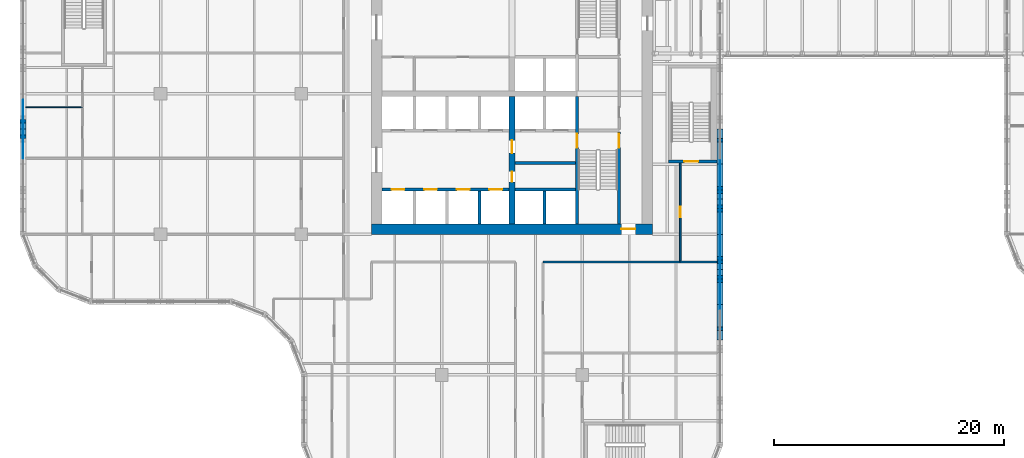
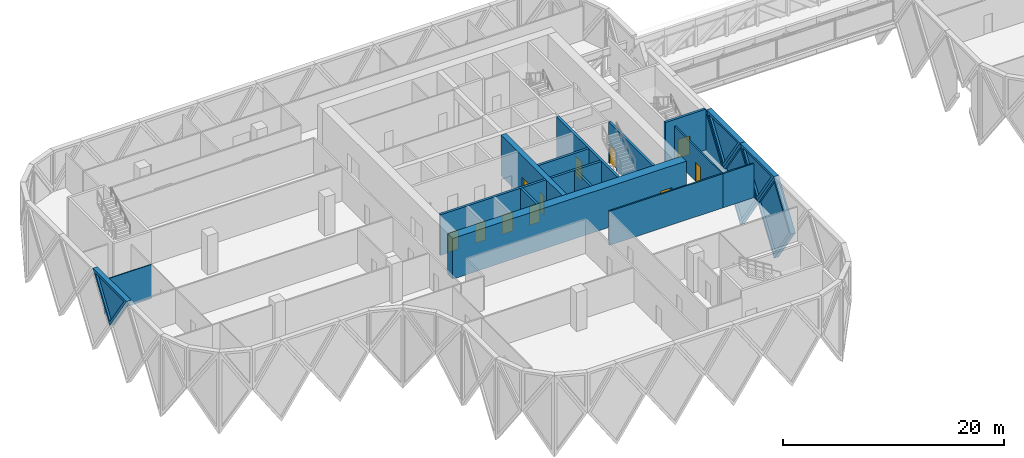
# One storey, part 14 of 30: 20 walls, 11 doors, 6 plates, 17 openings.
"""IFC4 building model written with IfcOpenShell, lengths in metres."""

from ifc_helpers import new_model, si_unit, direction, frame, frame_2d, origin, place, context, subcontext, project, spatial, polyline, rectangle, outline, extrude, faceted_brep, source, transform, mapped, material, layer, layer_set, type_object, element, fill, save


model = new_model("IFC4")

# Units and contexts
model_context = context("Model", 3, precision=1e-05, world=origin(), true_north=direction((0.0, 1.0)))
body_context = subcontext(model_context, "Body", "Model", "MODEL_VIEW")
ifc_project = project(units=[si_unit("LENGTHUNIT", "METRE"), si_unit("AREAUNIT", "SQUARE_METRE"), si_unit("VOLUMEUNIT", "CUBIC_METRE"), si_unit("PLANEANGLEUNIT", "RADIAN"), si_unit("MASSUNIT", "GRAM", prefix="KILO")], contexts=[model_context])

# Site, building, storey
site_placement = place(None, origin())
site = spatial("IfcSite", under=ifc_project, at=site_placement, CompositionType="ELEMENT")
building_placement = place(site_placement, origin())
building = spatial("IfcBuilding", under=site, at=building_placement, Name="Tessera Gate Towers", CompositionType="ELEMENT")
storey_placement = place(building_placement, frame((0.0, 0.0, 21.300048828125)))
storey = spatial("IfcBuildingStorey", under=building, at=storey_placement, Name="L04", CompositionType="ELEMENT", Elevation=21.300048828125)

# Wall, opening, door
ifc_material_1 = material(Name="Concrete C40/50", Category="concrete")
ifc_layer_1 = layer(ifc_material_1, 0.25)
ifc_layer_set_1 = layer_set([ifc_layer_1], Name="CORE ENCLOSURE WALL 250")
wall_type_1 = type_object("IfcWallType", Name="CORE ENCLOSURE WALL 250", PredefinedType="SOLIDWALL", material=ifc_layer_set_1)
wall_1_placement = place(storey_placement, frame((48.35009765625, 36.35009765625, 0.0), z_axis=(0.0, 0.0, 1.0), x_axis=(0.0, -1.0, 0.0)))
wall_1 = element("IfcWall", 1, at=wall_1_placement, inside=storey, type_object=wall_type_1, Name="L04 shaft and stair enclosure wall", PredefinedType="SOLIDWALL", context=body_context, shape_type="SweptSolid", body=[
    extrude(rectangle(XDim=11.050048828125, YDim=0.25, at=frame_2d((5.52490234375, 0.0))), origin(), (0.0, 0.0, 1.0), 4.5),
])
shared_shape_1 = source(origin(), body_context, "Body", "SweptSolid", [
    extrude(rectangle(XDim=1.199951171875, YDim=2.10009765625, at=frame_2d((0.60009765625, 1.050048828125))), frame((0.0, 0.135009765625, 0.0), z_axis=(0.0, -1.0, 0.0), x_axis=(1.0, 0.0, 0.0)), (0.0, 0.0, 1.0), 0.27001953125),
])
opening_1_placement = place(wall_1_placement, frame((3.22509765625, 0.0, 0.0)))
opening_1 = element("IfcOpeningElement", 2, at=opening_1_placement, cuts=wall_1, Name="Opening SD-ST1-1", PredefinedType="OPENING", context=body_context, shape_type="MappedRepresentation", body=[
    mapped(shared_shape_1, transform((0.0, 0.0, 0.0), scale=1.0)),
])
ifc_material_2 = material(Name="Hollow steel fire door", Category="steel")
door_type_1 = type_object("IfcDoorType", Name="CORE DOOR SD 1200x2100", OperationType="NOTDEFINED", PredefinedType="DOOR", material=ifc_material_2)
shared_shape_2 = source(origin(), body_context, "Body", "SweptSolid", [
    extrude(rectangle(XDim=1.199951171875, YDim=2.10009765625, at=frame_2d((0.60009765625, 1.050048828125))), frame((0.0, 0.02490234375, 0.0), z_axis=(0.0, -1.0, 0.0), x_axis=(1.0, 0.0, 0.0)), (0.0, 0.0, 1.0), 0.050048828125),
])
door_1_placement = place(opening_1_placement, origin())
door_1 = element("IfcDoor", 3, at=door_1_placement, inside=storey, type_object=door_type_1, Name="Stair door", OperationType="SINGLE_SWING_LEFT", OverallHeight=2.10009765625, OverallWidth=1.199951171875, PredefinedType="DOOR", context=body_context, shape_type="MappedRepresentation", body=[
    mapped(shared_shape_2, transform((0.0, 0.0, 0.0), scale=1.0)),
])
fill(opening_1, door_1)

# Wall, openings, doors
wall_2_placement = place(storey_placement, frame((31.39990234375, 28.300048828125, 0.0), z_axis=(0.0, 0.0, 1.0), x_axis=(1.0, 0.0, 0.0)))
wall_2 = element("IfcWall", 4, at=wall_2_placement, inside=storey, type_object=wall_type_1, Name="L04 shaft and stair enclosure wall", PredefinedType="SOLIDWALL", context=body_context, shape_type="SweptSolid", body=[
    extrude(rectangle(XDim=11.050048828125, YDim=0.25, at=frame_2d((5.52490234375, 0.0))), origin(), (0.0, 0.0, 1.0), 4.5),
])
shared_shape_3 = source(origin(), body_context, "Body", "SweptSolid", [
    extrude(rectangle(XDim=1.10009765625, YDim=2.10009765625, at=frame_2d((0.550048828125, 1.050048828125))), frame((0.0, 0.135009765625, 0.0), z_axis=(0.0, -1.0, 0.0), x_axis=(1.0, 0.0, 0.0)), (0.0, 0.0, 1.0), 0.27001953125),
])
opening_2_placement = place(wall_2_placement, frame((0.862548828125, 0.0, 0.0)))
opening_2 = element("IfcOpeningElement", 5, at=opening_2_placement, cuts=wall_2, Name="Opening LD-LR1", PredefinedType="OPENING", context=body_context, shape_type="MappedRepresentation", body=[
    mapped(shared_shape_3, transform((0.0, 0.0, 0.0), scale=1.0)),
])
opening_3_placement = place(wall_2_placement, frame((3.6875, 0.0, 0.0)))
opening_3 = element("IfcOpeningElement", 6, at=opening_3_placement, cuts=wall_2, Name="Opening LD-LR2", PredefinedType="OPENING", context=body_context, shape_type="MappedRepresentation", body=[
    mapped(shared_shape_3, transform((0.0, 0.0, 0.0), scale=1.0)),
])
opening_4_placement = place(wall_2_placement, frame((6.512451171875, 0.0, 0.0)))
opening_4 = element("IfcOpeningElement", 7, at=opening_4_placement, cuts=wall_2, Name="Opening LD-LR3", PredefinedType="OPENING", context=body_context, shape_type="MappedRepresentation", body=[
    mapped(shared_shape_3, transform((0.0, 0.0, 0.0), scale=1.0)),
])
opening_5_placement = place(wall_2_placement, frame((9.33740234375, 0.0, 0.0)))
opening_5 = element("IfcOpeningElement", 8, at=opening_5_placement, cuts=wall_2, Name="Opening LD-LR4", PredefinedType="OPENING", context=body_context, shape_type="MappedRepresentation", body=[
    mapped(shared_shape_3, transform((0.0, 0.0, 0.0), scale=1.0)),
])
ifc_material_3 = material(Name="Stainless steel", Category="steel")
door_type_2 = type_object("IfcDoorType", Name="CORE DOOR LD 1100x2100", OperationType="DOUBLE_DOOR_SLIDING", PredefinedType="DOOR", material=ifc_material_3)
shared_shape_4 = source(origin(), body_context, "Body", "SweptSolid", [
    extrude(rectangle(XDim=1.10009765625, YDim=2.10009765625, at=frame_2d((0.550048828125, 1.050048828125))), frame((0.0, 0.02490234375, 0.0), z_axis=(0.0, -1.0, 0.0), x_axis=(1.0, 0.0, 0.0)), (0.0, 0.0, 1.0), 0.050048828125),
])
door_2_placement = place(opening_2_placement, origin())
door_2 = element("IfcDoor", 9, at=door_2_placement, inside=storey, type_object=door_type_2, Name="Landing door LR1 L04", OperationType="DOUBLE_DOOR_SLIDING", OverallHeight=2.10009765625, OverallWidth=1.10009765625, PredefinedType="DOOR", context=body_context, shape_type="MappedRepresentation", body=[
    mapped(shared_shape_4, transform((0.0, 0.0, 0.0), scale=1.0)),
])
fill(opening_2, door_2)
door_3_placement = place(opening_3_placement, origin())
door_3 = element("IfcDoor", 10, at=door_3_placement, inside=storey, type_object=door_type_2, Name="Landing door LR2 L04", OperationType="DOUBLE_DOOR_SLIDING", OverallHeight=2.10009765625, OverallWidth=1.10009765625, PredefinedType="DOOR", context=body_context, shape_type="MappedRepresentation", body=[
    mapped(shared_shape_4, transform((0.0, 0.0, 0.0), scale=1.0)),
])
fill(opening_3, door_3)
door_4_placement = place(opening_4_placement, origin())
door_4 = element("IfcDoor", 11, at=door_4_placement, inside=storey, type_object=door_type_2, Name="Landing door LR3 L04", OperationType="DOUBLE_DOOR_SLIDING", OverallHeight=2.10009765625, OverallWidth=1.10009765625, PredefinedType="DOOR", context=body_context, shape_type="MappedRepresentation", body=[
    mapped(shared_shape_4, transform((0.0, 0.0, 0.0), scale=1.0)),
])
fill(opening_4, door_4)
door_5_placement = place(opening_5_placement, origin())
door_5 = element("IfcDoor", 12, at=door_5_placement, inside=storey, type_object=door_type_2, Name="Landing door LR4 L04", OperationType="DOUBLE_DOOR_SLIDING", OverallHeight=2.10009765625, OverallWidth=1.10009765625, PredefinedType="DOOR", context=body_context, shape_type="MappedRepresentation", body=[
    mapped(shared_shape_4, transform((0.0, 0.0, 0.0), scale=1.0)),
])
fill(opening_5, door_5)

# Wall
wall_3_placement = place(storey_placement, frame((42.949951171875, 28.300048828125, 0.0), z_axis=(0.0, 0.0, 1.0), x_axis=(1.0, 0.0, 0.0)))
element("IfcWall", 13, at=wall_3_placement, inside=storey, type_object=wall_type_1, Name="L04 shaft and stair enclosure wall", PredefinedType="SOLIDWALL", context=body_context, shape_type="SweptSolid", body=[
    extrude(rectangle(XDim=5.275146484375, YDim=0.25, at=frame_2d((2.6376953125, 0.0))), origin(), (0.0, 0.0, 1.0), 4.5),
])

# Wall, opening, door
wall_4_placement = place(storey_placement, frame((52.0, 25.300048828125, 0.0), z_axis=(0.0, 0.0, 1.0), x_axis=(0.0, 1.0, 0.0)))
wall_4 = element("IfcWall", 14, at=wall_4_placement, inside=storey, type_object=wall_type_1, Name="L04 shaft and stair enclosure wall", PredefinedType="SOLIDWALL", context=body_context, shape_type="SweptSolid", body=[
    extrude(rectangle(XDim=7.974853515625, YDim=0.25, at=frame_2d((3.9873046875, 0.0))), origin(), (0.0, 0.0, 1.0), 4.5),
])
opening_6_placement = place(wall_4_placement, frame((6.625, 0.0, 0.0)))
opening_6 = element("IfcOpeningElement", 15, at=opening_6_placement, cuts=wall_4, Name="Opening SD-ST1-2", PredefinedType="OPENING", context=body_context, shape_type="MappedRepresentation", body=[
    mapped(shared_shape_1, transform((0.0, 0.0, 0.0), scale=1.0)),
])
door_6_placement = place(opening_6_placement, origin())
door_6 = element("IfcDoor", 16, at=door_6_placement, inside=storey, type_object=door_type_1, Name="Stair door", OperationType="SINGLE_SWING_RIGHT", OverallHeight=2.10009765625, OverallWidth=1.199951171875, PredefinedType="DOOR", context=body_context, shape_type="MappedRepresentation", body=[
    mapped(shared_shape_2, transform((0.0, 0.0, 0.0), scale=1.0)),
])
fill(opening_6, door_6)

# Walls
wall_5_placement = place(storey_placement, frame((42.949951171875, 30.60009765625, 0.0), z_axis=(0.0, 0.0, 1.0), x_axis=(1.0, 0.0, 0.0)))
element("IfcWall", 17, at=wall_5_placement, inside=storey, type_object=wall_type_1, Name="L04 shaft and stair enclosure wall", PredefinedType="SOLIDWALL", context=body_context, shape_type="SweptSolid", body=[
    extrude(rectangle(XDim=5.275146484375, YDim=0.25, at=frame_2d((2.6376953125, 0.0))), origin(), (0.0, 0.0, 1.0), 4.5),
])
for number, where, z_axis, x_axis, name in (
    (18, (39.875, 25.300048828125, 0.0), (0.0, 0.0, 1.0), (0.0, 1.0, 0.0), "L04 shaft and stair enclosure wall"),
    (19, (45.52490234375, 25.300048828125, 0.0), (0.0, 0.0, 1.0), (0.0, 1.0, 0.0), "L04 shaft and stair enclosure wall"),
):
    element("IfcWall", number, at=place(storey_placement, frame(where, z_axis=z_axis, x_axis=x_axis)), inside=storey, type_object=wall_type_1, Name=name, PredefinedType="SOLIDWALL", context=body_context, shape_type="SweptSolid", body=[
        extrude(rectangle(XDim=2.875, YDim=0.25, at=frame_2d((1.4375, 0.0))), origin(), (0.0, 0.0, 1.0), 4.5),
    ])

# Wall, opening, door
wall_6_placement = place(storey_placement, frame((60.5, 30.72509765625, 0.0), z_axis=(0.0, 0.0, 1.0), x_axis=(-1.0, 0.0, 0.0)))
wall_6 = element("IfcWall", 20, at=wall_6_placement, inside=storey, type_object=wall_type_1, Name="L04 ST5 enclosure wall", PredefinedType="SOLIDWALL", context=body_context, shape_type="SweptSolid", body=[
    extrude(rectangle(XDim=4.199951171875, YDim=0.25, at=frame_2d((2.10009765625, 0.0))), origin(), (0.0, 0.0, 1.0), 4.5),
])
opening_7_placement = place(wall_6_placement, frame((1.64990234375, 0.0, 0.0)))
opening_7 = element("IfcOpeningElement", 21, at=opening_7_placement, cuts=wall_6, Name="Opening SD-ST5-1", PredefinedType="OPENING", context=body_context, shape_type="MappedRepresentation", body=[
    mapped(shared_shape_1, transform((0.0, 0.0, 0.0), scale=1.0)),
])
door_7_placement = place(opening_7_placement, origin())
door_7 = element("IfcDoor", 22, at=door_7_placement, inside=storey, type_object=door_type_1, Name="Stair door", OperationType="SINGLE_SWING_RIGHT", OverallHeight=2.10009765625, OverallWidth=1.199951171875, PredefinedType="DOOR", context=body_context, shape_type="MappedRepresentation", body=[
    mapped(shared_shape_2, transform((0.0, 0.0, 0.0), scale=1.0)),
])
fill(opening_7, door_7)

ifc_material_4 = material(Name="Concrete C70/85", Category="concrete")
ifc_layer_2 = layer(ifc_material_4, 0.89990234375)
ifc_layer_set_2 = layer_set([ifc_layer_2], Name="CORE SHEAR WALL 900 C70/85")
wall_type_2 = type_object("IfcWallType", Name="CORE SHEAR WALL 900 C70/85", PredefinedType="SHEAR", material=ifc_layer_set_2)
wall_7_placement = place(storey_placement, frame((54.89990234375, 24.85009765625, 0.0), z_axis=(0.0, 0.0, 1.0), x_axis=(-1.0, 0.0, 0.0)))
wall_7 = element("IfcWall", 23, at=wall_7_placement, inside=storey, type_object=wall_type_2, Name="Core wall S L04", PredefinedType="SHEAR", context=body_context, shape_type="SweptSolid", body=[
    extrude(rectangle(XDim=24.39990234375, YDim=0.89990234375, at=frame_2d((12.199951171875, 0.0))), origin(), (0.0, 0.0, 1.0), 4.5),
])
shared_shape_5 = source(origin(), body_context, "Body", "SweptSolid", [
    extrude(rectangle(XDim=1.199951171875, YDim=2.10009765625, at=frame_2d((0.60009765625, 1.050048828125))), frame((0.0, 0.4599609375, 0.0), z_axis=(0.0, -1.0, 0.0), x_axis=(1.0, 0.0, 0.0)), (0.0, 0.0, 1.0), 0.919921875),
])
opening_8_placement = place(wall_7_placement, frame((1.5, 0.0, 0.0)))
opening_8 = element("IfcOpeningElement", 24, at=opening_8_placement, cuts=wall_7, Name="Opening ED-T1-05-01", PredefinedType="OPENING", context=body_context, shape_type="MappedRepresentation", body=[
    mapped(shared_shape_5, transform((0.0, 0.0, 0.0), scale=1.0)),
])
ifc_material_5 = material(Name="Hollow steel fire door", Category="steel")
door_type_3 = type_object("IfcDoorType", Name="CORE DOOR ED 1200x2100", OperationType="NOTDEFINED", PredefinedType="DOOR", material=ifc_material_5)
door_8_placement = place(opening_8_placement, origin())
door_8 = element("IfcDoor", 25, at=door_8_placement, inside=storey, type_object=door_type_3, Name="Core exit door", OperationType="SINGLE_SWING_LEFT", OverallHeight=2.10009765625, OverallWidth=1.199951171875, PredefinedType="DOOR", context=body_context, shape_type="MappedRepresentation", body=[
    mapped(shared_shape_2, transform((0.0, 0.0, 0.0), scale=1.0)),
])
fill(opening_8, door_8)

# Wall, openings, doors
ifc_material_6 = material(Name="Concrete C70/85", Category="concrete")
ifc_layer_3 = layer(ifc_material_6, 0.5)
ifc_layer_set_3 = layer_set([ifc_layer_3], Name="CORE SPINE WALL 500 C70/85")
wall_type_3 = type_object("IfcWallType", Name="CORE SPINE WALL 500 C70/85", PredefinedType="SHEAR", material=ifc_layer_set_3)
wall_8_placement = place(storey_placement, frame((42.699951171875, 36.35009765625, 0.0), z_axis=(0.0, 0.0, 1.0), x_axis=(0.0, -1.0, 0.0)))
wall_8 = element("IfcWall", 26, at=wall_8_placement, inside=storey, type_object=wall_type_3, Name="Core wall spine L04", PredefinedType="SHEAR", context=body_context, shape_type="SweptSolid", body=[
    extrude(rectangle(XDim=11.050048828125, YDim=0.5, at=frame_2d((5.52490234375, 0.0))), origin(), (0.0, 0.0, 1.0), 4.5),
])
shared_shape_6 = source(origin(), body_context, "Body", "SweptSolid", [
    extrude(rectangle(XDim=0.89990234375, YDim=2.10009765625, at=frame_2d((0.449951171875, 1.050048828125))), frame((0.0, 0.260009765625, 0.0), z_axis=(0.0, -1.0, 0.0), x_axis=(1.0, 0.0, 0.0)), (0.0, 0.0, 1.0), 0.52001953125),
])
opening_9_placement = place(wall_8_placement, frame((6.5, 0.0, 0.0)))
opening_9 = element("IfcOpeningElement", 27, at=opening_9_placement, cuts=wall_8, Name="Opening RD-T1-05-05", PredefinedType="OPENING", context=body_context, shape_type="MappedRepresentation", body=[
    mapped(shared_shape_6, transform((0.0, 0.0, 0.0), scale=1.0)),
])
shared_shape_7 = source(origin(), body_context, "Body", "SweptSolid", [
    extrude(rectangle(XDim=1.10009765625, YDim=2.10009765625, at=frame_2d((0.550048828125, 1.050048828125))), frame((0.0, 0.260009765625, 0.0), z_axis=(0.0, -1.0, 0.0), x_axis=(1.0, 0.0, 0.0)), (0.0, 0.0, 1.0), 0.52001953125),
])
opening_10_placement = place(wall_8_placement, frame((3.800048828125, 0.0, 0.0)))
opening_10 = element("IfcOpeningElement", 28, at=opening_10_placement, cuts=wall_8, Name="Opening FD-T1-05-06", PredefinedType="OPENING", context=body_context, shape_type="MappedRepresentation", body=[
    mapped(shared_shape_7, transform((0.0, 0.0, 0.0), scale=1.0)),
])
ifc_material_7 = material(Name="Hollow steel fire door", Category="steel")
door_type_4 = type_object("IfcDoorType", Name="CORE DOOR RD 900x2100", OperationType="NOTDEFINED", PredefinedType="DOOR", material=ifc_material_7)
shared_shape_8 = source(origin(), body_context, "Body", "SweptSolid", [
    extrude(rectangle(XDim=0.89990234375, YDim=2.10009765625, at=frame_2d((0.449951171875, 1.050048828125))), frame((0.0, 0.02490234375, 0.0), z_axis=(0.0, -1.0, 0.0), x_axis=(1.0, 0.0, 0.0)), (0.0, 0.0, 1.0), 0.050048828125),
])
door_9_placement = place(opening_9_placement, origin())
door_9 = element("IfcDoor", 29, at=door_9_placement, inside=storey, type_object=door_type_4, Name="Core room door", OperationType="SINGLE_SWING_RIGHT", OverallHeight=2.10009765625, OverallWidth=0.89990234375, PredefinedType="DOOR", context=body_context, shape_type="MappedRepresentation", body=[
    mapped(shared_shape_8, transform((0.0, 0.0, 0.0), scale=1.0)),
])
fill(opening_9, door_9)
ifc_material_8 = material(Name="Hollow steel fire door", Category="steel")
door_type_5 = type_object("IfcDoorType", Name="CORE DOOR FD 1100x2100", OperationType="NOTDEFINED", PredefinedType="DOOR", material=ifc_material_8)
door_10_placement = place(opening_10_placement, origin())
door_10 = element("IfcDoor", 30, at=door_10_placement, inside=storey, type_object=door_type_5, Name="Fire-fighting lobby door", OperationType="SINGLE_SWING_LEFT", OverallHeight=2.10009765625, OverallWidth=1.10009765625, PredefinedType="DOOR", context=body_context, shape_type="MappedRepresentation", body=[
    mapped(shared_shape_4, transform((0.0, 0.0, 0.0), scale=1.0)),
])
fill(opening_10, door_10)

# Wall
ifc_material_9 = material(Name="Gypsum board on steel studs, mineral wool", Category="steel")
ifc_layer_4 = layer(ifc_material_9, 0.14990234375)
ifc_layer_set_4 = layer_set([ifc_layer_4], Name="CORRIDOR WALL 150")
wall_type_4 = type_object("IfcWallType", Name="CORRIDOR WALL 150", PredefinedType="PARTITIONING", material=ifc_layer_set_4)
wall_9_placement = place(storey_placement, frame((45.39990234375, 22.0, 0.0), z_axis=(0.0, 0.0, 1.0), x_axis=(1.0, 0.0, 0.0)))
element("IfcWall", 31, at=wall_9_placement, inside=storey, type_object=wall_type_4, Name="T1-L04-PW-023", PredefinedType="PARTITIONING", context=body_context, shape_type="SweptSolid", body=[
    extrude(rectangle(XDim=11.900146484375, YDim=0.14990234375, at=frame_2d((5.9501953125, 0.0))), origin(), (0.0, 0.0, 1.0), 3.766845703125),
])

# Wall, opening, door
wall_10_placement = place(storey_placement, frame((57.300048828125, 30.60009765625, 0.0), z_axis=(0.0, 0.0, 1.0), x_axis=(0.0, -1.0, 0.0)))
wall_10 = element("IfcWall", 32, at=wall_10_placement, inside=storey, type_object=wall_type_4, Name="T1-L04-PW-025", PredefinedType="PARTITIONING", context=body_context, shape_type="SweptSolid", body=[
    extrude(rectangle(XDim=8.524169921875, YDim=0.14990234375, at=frame_2d((4.26220703125, 0.0))), origin(), (0.0, 0.0, 1.0), 3.766845703125),
])
shared_shape_9 = source(origin(), body_context, "Body", "SweptSolid", [
    extrude(rectangle(XDim=0.89990234375, YDim=2.10009765625, at=frame_2d((0.449951171875, 1.050048828125))), frame((0.0, 0.0849609375, 0.0), z_axis=(0.0, -1.0, 0.0), x_axis=(1.0, 0.0, 0.0)), (0.0, 0.0, 1.0), 0.169921875),
])
opening_11_placement = place(wall_10_placement, frame((3.823974609375, 0.0, 0.0)))
opening_11 = element("IfcOpeningElement", 33, at=opening_11_placement, cuts=wall_10, Name="Opening D890FD60-A01-03", PredefinedType="OPENING", context=body_context, shape_type="MappedRepresentation", body=[
    mapped(shared_shape_9, transform((0.0, 0.0, 0.0), scale=1.0)),
])
ifc_material_10 = material(Name="Timber door leaf in steel frame", Category="steel")
door_type_6 = type_object("IfcDoorType", Name="CORRIDOR DOOR 900 FD60", OperationType="NOTDEFINED", PredefinedType="DOOR", material=ifc_material_10)
door_11_placement = place(opening_11_placement, origin())
door_11 = element("IfcDoor", 34, at=door_11_placement, inside=storey, type_object=door_type_6, Name="T1-L04-PD-016", OperationType="SINGLE_SWING_RIGHT", OverallHeight=2.10009765625, OverallWidth=0.89990234375, PredefinedType="DOOR", context=body_context, shape_type="MappedRepresentation", body=[
    mapped(shared_shape_8, transform((0.0, 0.0, 0.0), scale=1.0)),
])
fill(opening_11, door_11)

# Walls
ifc_material_11 = material(Name="Gypsum board on steel studs", Category="steel")
ifc_layer_5 = layer(ifc_material_11, 0.10009765625)
ifc_layer_set_5 = layer_set([ifc_layer_5], Name="PARTITION 100")
wall_type_5 = type_object("IfcWallType", Name="PARTITION 100", PredefinedType="PARTITIONING", material=ifc_layer_set_5)
wall_11_placement = place(storey_placement, frame((0.5, 35.419921875, 0.0), z_axis=(0.0, 0.0, 1.0), x_axis=(1.0, 0.0, 0.0)))
element("IfcWall", 35, at=wall_11_placement, inside=storey, type_object=wall_type_5, Name="T1-L04-PW-036", PredefinedType="PARTITIONING", context=body_context, shape_type="SweptSolid", body=[
    extrude(rectangle(XDim=4.925048828125, YDim=0.10009765625, at=frame_2d((2.46240234375, 0.0))), origin(), (0.0, 0.0, 1.0), 3.766845703125),
])
ifc_material_12 = material(Name="Gypsum board on steel studs, mineral wool", Category="steel")
ifc_layer_6 = layer(ifc_material_12, 0.14990234375)
ifc_layer_set_6 = layer_set([ifc_layer_6], Name="TENANCY WALL 150")
wall_type_6 = type_object("IfcWallType", Name="TENANCY WALL 150", PredefinedType="PARTITIONING", material=ifc_layer_set_6)
wall_12_placement = place(storey_placement, frame((57.301025390625, 22.0, 0.0), z_axis=(0.0, 0.0, 1.0), x_axis=(1.0, 0.0, 0.0)))
element("IfcWall", 36, at=wall_12_placement, inside=storey, type_object=wall_type_6, Name="T1-L04-PW-024", PredefinedType="PARTITIONING", context=body_context, shape_type="SweptSolid", body=[
    extrude(rectangle(XDim=3.198974609375, YDim=0.14990234375, at=frame_2d((1.599609375, 0.0))), origin(), (0.0, 0.0, 1.0), 3.766845703125),
])

# Wall, opening, plate
ifc_material_13 = material(Name="Precast concrete C60/75 white", Category="concrete")
ifc_layer_7 = layer(ifc_material_13, 0.5)
ifc_layer_set_7 = layer_set([ifc_layer_7], Name="TS1 tessera")
wall_type_7 = type_object("IfcWallType", Name="TS1 tessera", PredefinedType="SOLIDWALL", material=ifc_layer_set_7)
shared_shape_10 = source(origin(), body_context, "Body", "Brep", [
    faceted_brep([(3.050048828125, -0.25, 0.0), (6.099853515625, -0.25, 4.499755859375), (6.099853515625, -0.25, 4.500244140625), (3.050048828125, -0.25, 9.0), (0.0, -0.25, 4.5), (0.0, 0.25, 4.5), (3.050048828125, 0.25, 9.0), (6.099853515625, 0.25, 4.500244140625), (6.099853515625, 0.25, 4.499755859375), (3.050048828125, 0.25, 0.0)], [[[0, 1, 2, 3, 4]], [[5, 6, 7, 8, 9]], [[9, 8, 1, 0]], [[7, 6, 3, 2]], [[6, 5, 4, 3]], [[5, 9, 0, 4]], [[1, 8, 7, 2]]]),
])
wall_13_placement = place(storey_placement, frame((60.75, 21.35009765625, -4.5), z_axis=(0.0, 0.0, 1.0), x_axis=(0.0, 1.0, 0.0)))
wall_13 = element("IfcWall", 37, at=wall_13_placement, inside=storey, type_object=wall_type_7, Name="Precast tessera T1 TS1-0007", PredefinedType="SOLIDWALL", context=body_context, shape_type="MappedRepresentation", body=[
    mapped(shared_shape_10, transform((0.0, 0.0, 0.0), scale=1.0)),
])
shared_shape_11 = source(origin(), body_context, "Body", "SweptSolid", [
    extrude(outline(polyline([(3.050048828125, 0.445556640625), (5.798095703125, 4.5), (3.050048828125, 8.554443359375), (0.302001953125, 4.5), (3.050048828125, 0.445556640625)])), frame((0.0, 0.260009765625, 0.0), z_axis=(0.0, -1.0, 0.0), x_axis=(1.0, 0.0, 0.0)), (0.0, 0.0, 1.0), 0.52001953125),
])
opening_12_placement = place(wall_13_placement, origin())
opening_12 = element("IfcOpeningElement", 38, at=opening_12_placement, cuts=wall_13, Name="Opening T1-PL2-0011", PredefinedType="OPENING", context=body_context, shape_type="MappedRepresentation", body=[
    mapped(shared_shape_11, transform((0.0, 0.0, 0.0), scale=1.0)),
])
ifc_material_14 = material(Name="Low-e laminated glass", Category="glass")
ifc_layer_8 = layer(ifc_material_14, 0.06005859375)
ifc_layer_set_8 = layer_set([ifc_layer_8], Name="PL2 rhombic pane")
plate_type_1 = type_object("IfcPlateType", Name="PL2 rhombic pane", PredefinedType="SHEET", material=ifc_layer_set_8)
shared_shape_12 = source(origin(), body_context, "Body", "SweptSolid", [
    extrude(outline(polyline([(3.050048828125, 0.445556640625), (5.798095703125, 4.5), (3.050048828125, 8.554443359375), (0.302001953125, 4.5), (3.050048828125, 0.445556640625)])), frame((0.0, 0.030029296875, 0.0), z_axis=(0.0, -1.0, 0.0), x_axis=(1.0, 0.0, 0.0)), (0.0, 0.0, 1.0), 0.06005859375),
])
plate_1_placement = place(opening_12_placement, origin())
plate_1 = element("IfcPlate", 39, at=plate_1_placement, inside=storey, type_object=plate_type_1, Name="Glass pane T1 PL2-0011", PredefinedType="SHEET", context=body_context, shape_type="MappedRepresentation", body=[
    mapped(shared_shape_12, transform((0.0, 0.0, 0.0), scale=1.0)),
])
fill(opening_12, plate_1)

shared_shape_13 = source(origin(), body_context, "Body", "SweptSolid", [
    extrude(outline(polyline([(3.050048828125, 0.0), (6.10009765625, 4.5), (3.050048828125, 9.0), (0.0, 4.5), (3.050048828125, 0.0)])), frame((0.0, 0.25, 0.0), z_axis=(0.0, -1.0, 0.0), x_axis=(1.0, 0.0, 0.0)), (0.0, 0.0, 1.0), 0.5),
])
wall_14_placement = place(storey_placement, frame((60.75, 15.25, -4.5), z_axis=(0.0, 0.0, 1.0), x_axis=(0.0, 1.0, 0.0)))
wall_14 = element("IfcWall", 40, at=wall_14_placement, inside=storey, type_object=wall_type_7, Name="Precast tessera T1 TS1-0006", PredefinedType="SOLIDWALL", context=body_context, shape_type="MappedRepresentation", body=[
    mapped(shared_shape_13, transform((0.0, 0.0, 0.0), scale=1.0)),
])
opening_13_placement = place(wall_14_placement, origin())
opening_13 = element("IfcOpeningElement", 41, at=opening_13_placement, cuts=wall_14, Name="Opening T1-PL2-0010", PredefinedType="OPENING", context=body_context, shape_type="MappedRepresentation", body=[
    mapped(shared_shape_11, transform((0.0, 0.0, 0.0), scale=1.0)),
])
plate_2_placement = place(opening_13_placement, origin())
plate_2 = element("IfcPlate", 42, at=plate_2_placement, inside=storey, type_object=plate_type_1, Name="Glass pane T1 PL2-0010", PredefinedType="SHEET", context=body_context, shape_type="MappedRepresentation", body=[
    mapped(shared_shape_12, transform((0.0, 0.0, 0.0), scale=1.0)),
])
fill(opening_13, plate_2)

wall_15_placement = place(storey_placement, frame((60.75, 27.449951171875, -4.5), z_axis=(0.0, 0.0, 1.0), x_axis=(0.0, 1.0, 0.0)))
wall_15 = element("IfcWall", 43, at=wall_15_placement, inside=storey, type_object=wall_type_7, Name="Precast tessera T1 TS1-0008", PredefinedType="SOLIDWALL", context=body_context, shape_type="MappedRepresentation", body=[
    mapped(shared_shape_13, transform((0.0, 0.0, 0.0), scale=1.0)),
])
opening_14_placement = place(wall_15_placement, origin())
opening_14 = element("IfcOpeningElement", 44, at=opening_14_placement, cuts=wall_15, Name="Opening T1-PL2-0012", PredefinedType="OPENING", context=body_context, shape_type="MappedRepresentation", body=[
    mapped(shared_shape_11, transform((0.0, 0.0, 0.0), scale=1.0)),
])
plate_3_placement = place(opening_14_placement, origin())
plate_3 = element("IfcPlate", 45, at=plate_3_placement, inside=storey, type_object=plate_type_1, Name="Glass pane T1 PL2-0012", PredefinedType="SHEET", context=body_context, shape_type="MappedRepresentation", body=[
    mapped(shared_shape_12, transform((0.0, 0.0, 0.0), scale=1.0)),
])
fill(opening_14, plate_3)

ifc_material_15 = material(Name="Precast concrete C60/75 white", Category="concrete")
ifc_layer_9 = layer(ifc_material_15, 0.5)
ifc_layer_set_9 = layer_set([ifc_layer_9], Name="TS2 half tessera")
wall_type_8 = type_object("IfcWallType", Name="TS2 half tessera", PredefinedType="SOLIDWALL", material=ifc_layer_set_9)
shared_shape_14 = source(origin(), body_context, "Body", "Brep", [
    faceted_brep([(3.050048828125, -0.25, 0.0), (6.099853515625, -0.25, 4.499755859375), (6.099853515625, -0.25, 4.5), (0.0, -0.25, 4.5), (0.0, 0.25, 4.5), (6.099853515625, 0.25, 4.5), (6.099853515625, 0.25, 4.499755859375), (3.050048828125, 0.25, 0.0)], [[[0, 1, 2, 3]], [[4, 5, 6, 7]], [[7, 6, 1, 0]], [[5, 4, 3, 2]], [[4, 7, 0, 3]], [[1, 6, 5, 2]]]),
])
wall_16_placement = place(storey_placement, frame((60.75, 18.300048828125, 0.0), z_axis=(0.0, 0.0, 1.0), x_axis=(0.0, 1.0, 0.0)))
wall_16 = element("IfcWall", 46, at=wall_16_placement, inside=storey, type_object=wall_type_8, Name="Precast half tessera T1 TS2-0028", PredefinedType="SOLIDWALL", context=body_context, shape_type="MappedRepresentation", body=[
    mapped(shared_shape_14, transform((0.0, 0.0, 0.0), scale=1.0)),
])
shared_shape_15 = source(origin(), body_context, "Body", "SweptSolid", [
    extrude(outline(polyline([(3.050048828125, 0.445556640625), (5.628662109375, 4.25), (0.471435546875, 4.25), (3.050048828125, 0.445556640625)])), frame((0.0, 0.260009765625, 0.0), z_axis=(0.0, -1.0, 0.0), x_axis=(1.0, 0.0, 0.0)), (0.0, 0.0, 1.0), 0.52001953125),
])
opening_15_placement = place(wall_16_placement, origin())
opening_15 = element("IfcOpeningElement", 47, at=opening_15_placement, cuts=wall_16, Name="Opening T1-PL1-0058", PredefinedType="OPENING", context=body_context, shape_type="MappedRepresentation", body=[
    mapped(shared_shape_15, transform((0.0, 0.0, 0.0), scale=1.0)),
])
ifc_material_16 = material(Name="Low-e laminated glass", Category="glass")
ifc_layer_10 = layer(ifc_material_16, 0.06005859375)
ifc_layer_set_10 = layer_set([ifc_layer_10], Name="PL1 triangular pane")
plate_type_2 = type_object("IfcPlateType", Name="PL1 triangular pane", PredefinedType="SHEET", material=ifc_layer_set_10)
shared_shape_16 = source(origin(), body_context, "Body", "SweptSolid", [
    extrude(outline(polyline([(3.050048828125, 0.445556640625), (5.628662109375, 4.25), (0.471435546875, 4.25), (3.050048828125, 0.445556640625)])), frame((0.0, 0.030029296875, 0.0), z_axis=(0.0, -1.0, 0.0), x_axis=(1.0, 0.0, 0.0)), (0.0, 0.0, 1.0), 0.06005859375),
])
plate_4_placement = place(opening_15_placement, origin())
plate_4 = element("IfcPlate", 48, at=plate_4_placement, inside=storey, type_object=plate_type_2, Name="Glass pane T1 PL1-0058", PredefinedType="SHEET", context=body_context, shape_type="MappedRepresentation", body=[
    mapped(shared_shape_16, transform((0.0, 0.0, 0.0), scale=1.0)),
])
fill(opening_15, plate_4)

shared_shape_17 = source(origin(), body_context, "Body", "SweptSolid", [
    extrude(outline(polyline([(3.050048828125, 0.0), (6.10009765625, 4.5), (0.0, 4.5), (3.050048828125, 0.0)])), frame((0.0, 0.25, 0.0), z_axis=(0.0, -1.0, 0.0), x_axis=(1.0, 0.0, 0.0)), (0.0, 0.0, 1.0), 0.5),
])
wall_17_placement = place(storey_placement, frame((60.75, 24.39990234375, 0.0), z_axis=(0.0, 0.0, 1.0), x_axis=(0.0, 1.0, 0.0)))
wall_17 = element("IfcWall", 49, at=wall_17_placement, inside=storey, type_object=wall_type_8, Name="Precast half tessera T1 TS2-0029", PredefinedType="SOLIDWALL", context=body_context, shape_type="MappedRepresentation", body=[
    mapped(shared_shape_17, transform((0.0, 0.0, 0.0), scale=1.0)),
])
opening_16_placement = place(wall_17_placement, origin())
opening_16 = element("IfcOpeningElement", 50, at=opening_16_placement, cuts=wall_17, Name="Opening T1-PL1-0059", PredefinedType="OPENING", context=body_context, shape_type="MappedRepresentation", body=[
    mapped(shared_shape_15, transform((0.0, 0.0, 0.0), scale=1.0)),
])
plate_5_placement = place(opening_16_placement, origin())
plate_5 = element("IfcPlate", 51, at=plate_5_placement, inside=storey, type_object=plate_type_2, Name="Glass pane T1 PL1-0059", PredefinedType="SHEET", context=body_context, shape_type="MappedRepresentation", body=[
    mapped(shared_shape_16, transform((0.0, 0.0, 0.0), scale=1.0)),
])
fill(opening_16, plate_5)

wall_18_placement = place(storey_placement, frame((0.25, 36.60009765625, 0.0), z_axis=(0.0, 0.0, 1.0), x_axis=(0.0, -1.0, 0.0)))
wall_18 = element("IfcWall", 52, at=wall_18_placement, inside=storey, type_object=wall_type_8, Name="Precast half tessera T1 TS2-0042", PredefinedType="SOLIDWALL", context=body_context, shape_type="MappedRepresentation", body=[
    mapped(shared_shape_17, transform((0.0, 0.0, 0.0), scale=1.0)),
])
opening_17_placement = place(wall_18_placement, origin())
opening_17 = element("IfcOpeningElement", 53, at=opening_17_placement, cuts=wall_18, Name="Opening T1-PL1-0080", PredefinedType="OPENING", context=body_context, shape_type="MappedRepresentation", body=[
    mapped(shared_shape_15, transform((0.0, 0.0, 0.0), scale=1.0)),
])
plate_6_placement = place(opening_17_placement, origin())
plate_6 = element("IfcPlate", 54, at=plate_6_placement, inside=storey, type_object=plate_type_2, Name="Glass pane T1 PL1-0080", PredefinedType="SHEET", context=body_context, shape_type="MappedRepresentation", body=[
    mapped(shared_shape_16, transform((0.0, 0.0, 0.0), scale=1.0)),
])
fill(opening_17, plate_6)

save(model, "model.ifc")
